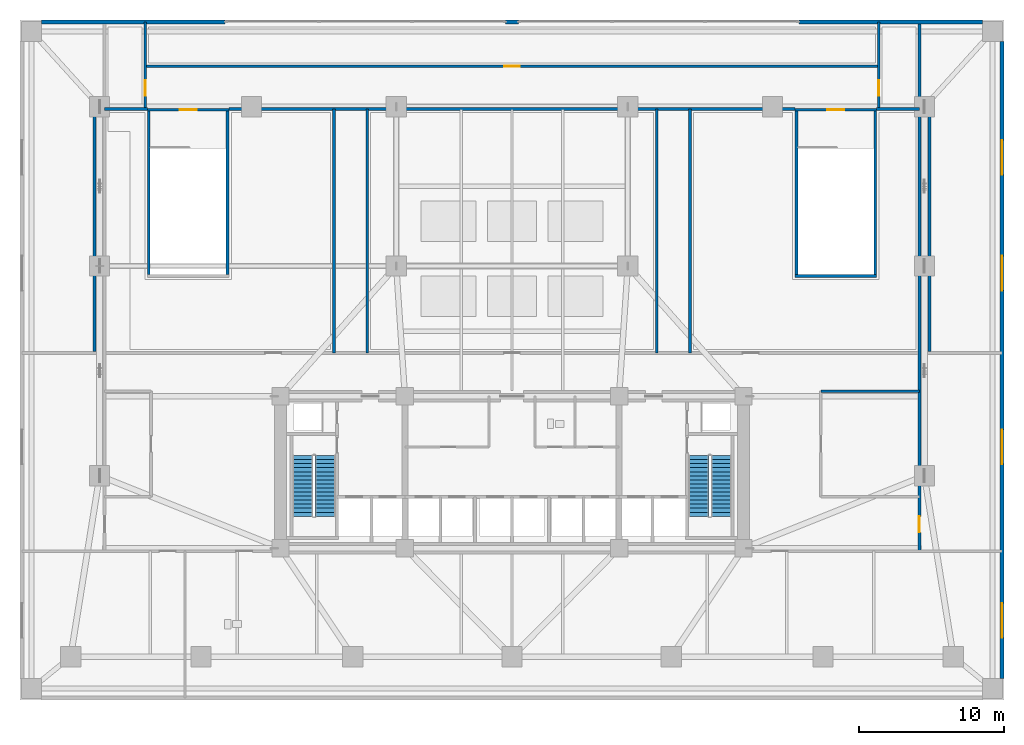
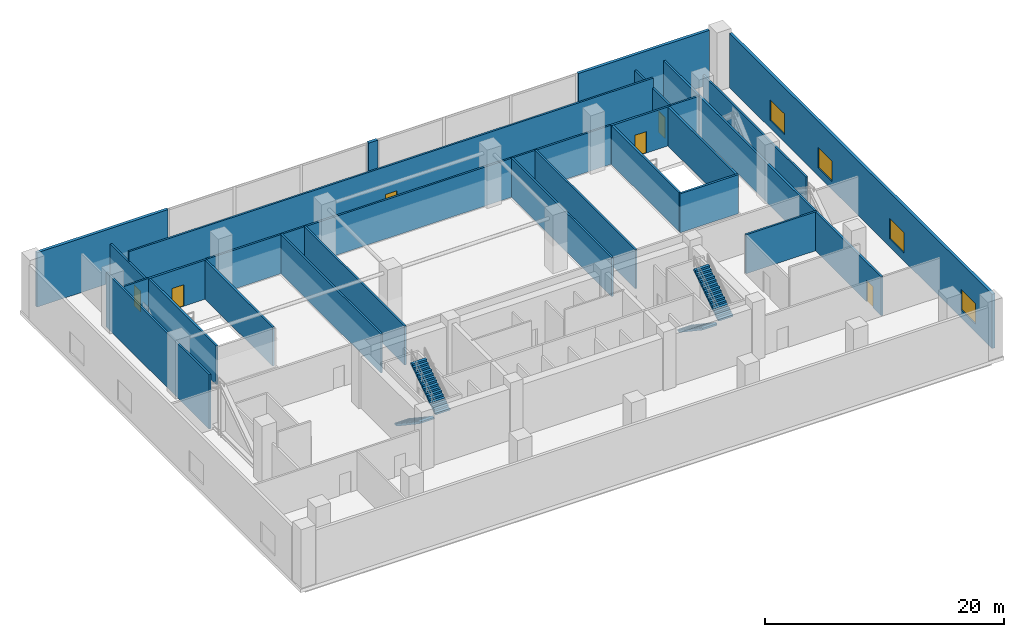
# One storey, part 13 of 16: 25 walls, 6 doors, 4 stair flights, 4 windows, 10 openings, 2 elements without a shape of their own.
"""IFC4 building model written with IfcOpenShell, lengths in metres."""

from ifc_helpers import new_model, si_unit, direction, frame, frame_2d, origin, place, context, subcontext, project, spatial, polyline, rectangle, outline, extrude, material, layer, layer_set, type_object, element, fill, aggregate, save


model = new_model("IFC4")

# Units and contexts
model_context = context("Model", 3, precision=1e-05, world=origin(), true_north=direction((0.0, 1.0)))
body_context = subcontext(model_context, "Body", "Model", "MODEL_VIEW")
ifc_project = project(units=[si_unit("LENGTHUNIT", "METRE"), si_unit("AREAUNIT", "SQUARE_METRE"), si_unit("VOLUMEUNIT", "CUBIC_METRE"), si_unit("PLANEANGLEUNIT", "RADIAN"), si_unit("MASSUNIT", "GRAM", prefix="KILO")], contexts=[model_context])

# Site, building, storey
site_placement = place(None, origin())
site = spatial("IfcSite", under=ifc_project, at=site_placement, CompositionType="ELEMENT")
building_placement = place(site_placement, origin())
building = spatial("IfcBuilding", under=site, at=building_placement, Name="Solmavex Isthmus Hotel", CompositionType="ELEMENT")
storey_placement = place(building_placement, frame((0.0, 0.0, 20.39990234375)))
storey = spatial("IfcBuildingStorey", under=building, at=storey_placement, Name="L05", CompositionType="ELEMENT", Elevation=20.39990234375)

# Walls
ifc_material_1 = material(Name="Precast Concrete C40/50", Category="concrete")
ifc_layer_1 = layer(ifc_material_1, 0.280029296875)
ifc_layer_set_1 = layer_set([ifc_layer_1], Name="Precast Concrete C40/50")
wall_type_1 = type_object("IfcWallType", Name="EW-POD-280", PredefinedType="STANDARD", material=ifc_layer_set_1)
for number, where, z_axis, x_axis, name in (
    (1, (-32.5, 23.360107421875, 0.0), (0.0, 0.0, 1.0), (1.0, 0.0, 0.0), "Podium Facade Wall NW L05"),
    (2, (19.840087890625, 23.360107421875, 0.0), (0.0, 0.0, 1.0), (1.0, 0.0, 0.0), "Podium Facade Wall NE L05"),
):
    element("IfcWall", number, at=place(storey_placement, frame(where, z_axis=z_axis, x_axis=x_axis)), inside=storey, type_object=wall_type_1, Name=name, PredefinedType="STANDARD", context=body_context, shape_type="SweptSolid", body=[
        extrude(rectangle(XDim=12.659912109375, YDim=0.280029296875, at=frame_2d((6.330078125, 0.0))), origin(), (0.0, 0.0, 1.0), 5.550048828125),
    ])
wall_1_placement = place(storey_placement, frame((-0.449951171875, 23.360107421875, 0.0), z_axis=(0.0, 0.0, 1.0), x_axis=(1.0, 0.0, 0.0)))
element("IfcWall", 3, at=wall_1_placement, inside=storey, type_object=wall_type_1, Name="Podium Atrium Center Pier L05", PredefinedType="STANDARD", context=body_context, shape_type="SweptSolid", body=[
    extrude(rectangle(XDim=0.89990234375, YDim=0.280029296875, at=frame_2d((0.449951171875, 0.0))), origin(), (0.0, 0.0, 1.0), 5.550048828125),
])

# Wall, openings, windows
wall_2_placement = place(storey_placement, frame((33.860107421875, -22.0, 0.0), z_axis=(0.0, 0.0, 1.0), x_axis=(0.0, 1.0, 0.0)))
wall_2 = element("IfcWall", 4, at=wall_2_placement, inside=storey, type_object=wall_type_1, Name="Podium Facade Wall East L05", PredefinedType="STANDARD", context=body_context, shape_type="SweptSolid", body=[
    extrude(rectangle(XDim=44.0, YDim=0.280029296875, at=frame_2d((22.0, 0.0))), origin(), (0.0, 0.0, 1.0), 5.550048828125),
])
opening_1_placement = place(wall_2_placement, frame((2.800048828125, 0.0, 0.800048828125)))
opening_1 = element("IfcOpeningElement", 5, at=opening_1_placement, cuts=wall_2, Name="Opening WN-01", PredefinedType="OPENING", context=body_context, shape_type="SweptSolid", body=[
    extrude(rectangle(XDim=2.39990234375, YDim=2.10009765625, at=frame_2d((1.199951171875, 1.050048828125))), frame((0.0, 0.14990234375, 0.0), z_axis=(0.0, -1.0, 0.0), x_axis=(1.0, 0.0, 0.0)), (0.0, 0.0, 1.0), 0.300048828125),
])
opening_2_placement = place(wall_2_placement, frame((14.800048828125, 0.0, 0.800048828125)))
opening_2 = element("IfcOpeningElement", 6, at=opening_2_placement, cuts=wall_2, Name="Opening WN-01", PredefinedType="OPENING", context=body_context, shape_type="SweptSolid", body=[
    extrude(rectangle(XDim=2.39990234375, YDim=2.10009765625, at=frame_2d((1.199951171875, 1.050048828125))), frame((0.0, 0.14990234375, 0.0), z_axis=(0.0, -1.0, 0.0), x_axis=(1.0, 0.0, 0.0)), (0.0, 0.0, 1.0), 0.300048828125),
])
opening_3_placement = place(wall_2_placement, frame((26.800048828125, 0.0, 0.800048828125)))
opening_3 = element("IfcOpeningElement", 7, at=opening_3_placement, cuts=wall_2, Name="Opening WN-01", PredefinedType="OPENING", context=body_context, shape_type="SweptSolid", body=[
    extrude(rectangle(XDim=2.39990234375, YDim=2.10009765625, at=frame_2d((1.199951171875, 1.050048828125))), frame((0.0, 0.14990234375, 0.0), z_axis=(0.0, -1.0, 0.0), x_axis=(1.0, 0.0, 0.0)), (0.0, 0.0, 1.0), 0.300048828125),
])
opening_4_placement = place(wall_2_placement, frame((34.800048828125, 0.0, 0.800048828125)))
opening_4 = element("IfcOpeningElement", 8, at=opening_4_placement, cuts=wall_2, Name="Opening WN-01", PredefinedType="OPENING", context=body_context, shape_type="SweptSolid", body=[
    extrude(rectangle(XDim=2.39990234375, YDim=2.10009765625, at=frame_2d((1.199951171875, 1.050048828125))), frame((0.0, 0.14990234375, 0.0), z_axis=(0.0, -1.0, 0.0), x_axis=(1.0, 0.0, 0.0)), (0.0, 0.0, 1.0), 0.300048828125),
])
ifc_material_2 = material(Name="Clear low-E laminated glass", Category="glass")
window_type = type_object("IfcWindowType", Name="WIN-POD-2400", PartitioningType="SINGLE_PANEL", PredefinedType="WINDOW", material=ifc_material_2)
window_1_placement = place(opening_1_placement, origin())
window_1 = element("IfcWindow", 9, at=window_1_placement, inside=storey, type_object=window_type, Name="Podium Ballroom Window L05-E1", OverallHeight=2.10009765625, OverallWidth=2.39990234375, PartitioningType="SINGLE_PANEL", PredefinedType="WINDOW", context=body_context, shape_type="SweptSolid", body=[
    extrude(rectangle(XDim=2.39990234375, YDim=2.10009765625, at=frame_2d((1.199951171875, 1.050048828125))), frame((0.0, 0.030029296875, 0.0), z_axis=(0.0, -1.0, 0.0), x_axis=(1.0, 0.0, 0.0)), (0.0, 0.0, 1.0), 0.06005859375),
])
fill(opening_1, window_1)
window_2_placement = place(opening_2_placement, origin())
window_2 = element("IfcWindow", 10, at=window_2_placement, inside=storey, type_object=window_type, Name="Podium Ballroom Window L05-E2", OverallHeight=2.10009765625, OverallWidth=2.39990234375, PartitioningType="SINGLE_PANEL", PredefinedType="WINDOW", context=body_context, shape_type="SweptSolid", body=[
    extrude(rectangle(XDim=2.39990234375, YDim=2.10009765625, at=frame_2d((1.199951171875, 1.050048828125))), frame((0.0, 0.030029296875, 0.0), z_axis=(0.0, -1.0, 0.0), x_axis=(1.0, 0.0, 0.0)), (0.0, 0.0, 1.0), 0.06005859375),
])
fill(opening_2, window_2)
window_3_placement = place(opening_3_placement, origin())
window_3 = element("IfcWindow", 11, at=window_3_placement, inside=storey, type_object=window_type, Name="Podium Ballroom Window L05-E3", OverallHeight=2.10009765625, OverallWidth=2.39990234375, PartitioningType="SINGLE_PANEL", PredefinedType="WINDOW", context=body_context, shape_type="SweptSolid", body=[
    extrude(rectangle(XDim=2.39990234375, YDim=2.10009765625, at=frame_2d((1.199951171875, 1.050048828125))), frame((0.0, 0.030029296875, 0.0), z_axis=(0.0, -1.0, 0.0), x_axis=(1.0, 0.0, 0.0)), (0.0, 0.0, 1.0), 0.06005859375),
])
fill(opening_3, window_3)
window_4_placement = place(opening_4_placement, origin())
window_4 = element("IfcWindow", 12, at=window_4_placement, inside=storey, type_object=window_type, Name="Podium Ballroom Window L05-E4", OverallHeight=2.10009765625, OverallWidth=2.39990234375, PartitioningType="SINGLE_PANEL", PredefinedType="WINDOW", context=body_context, shape_type="SweptSolid", body=[
    extrude(rectangle(XDim=2.39990234375, YDim=2.10009765625, at=frame_2d((1.199951171875, 1.050048828125))), frame((0.0, 0.030029296875, 0.0), z_axis=(0.0, -1.0, 0.0), x_axis=(1.0, 0.0, 0.0)), (0.0, 0.0, 1.0), 0.06005859375),
])
fill(opening_4, window_4)

# Walls
ifc_material_3 = material(Name="Concrete C40/50", Category="concrete")
ifc_layer_2 = layer(ifc_material_3, 0.179931640625)
ifc_layer_set_2 = layer_set([ifc_layer_2], Name="Concrete C40/50")
wall_type_2 = type_object("IfcWallType", Name="IW-SHAFT-180", PredefinedType="PARTITIONING", material=ifc_layer_set_2)
wall_3_placement = place(storey_placement, frame((-28.14990234375, 17.35009765625, 0.0), z_axis=(0.0, 0.0, 1.0), x_axis=(1.0, 0.0, 0.0)))
element("IfcWall", 13, at=wall_3_placement, inside=storey, type_object=wall_type_2, Name="Interior Partition Wall W-L05-NF1", PredefinedType="PARTITIONING", context=body_context, shape_type="SweptSolid", body=[
    extrude(rectangle(XDim=2.949951171875, YDim=0.179931640625, at=frame_2d((1.47509765625, 0.0))), origin(), (0.0, 0.0, 1.0), 3.985107421875),
])
wall_4_placement = place(storey_placement, frame((-19.550048828125, 17.35009765625, 0.0), z_axis=(0.0, 0.0, 1.0), x_axis=(1.0, 0.0, 0.0)))
element("IfcWall", 14, at=wall_4_placement, inside=storey, type_object=wall_type_2, Name="Interior Partition Wall W-L05-NF2", PredefinedType="PARTITIONING", context=body_context, shape_type="SweptSolid", body=[
    extrude(rectangle(XDim=39.10009765625, YDim=0.179931640625, at=frame_2d((19.550048828125, 0.0))), origin(), (0.0, 0.0, 1.0), 3.985107421875),
])
wall_5_placement = place(storey_placement, frame((25.199951171875, 17.35009765625, 0.0), z_axis=(0.0, 0.0, 1.0), x_axis=(1.0, 0.0, 0.0)))
element("IfcWall", 15, at=wall_5_placement, inside=storey, type_object=wall_type_2, Name="Interior Partition Wall W-L05-NF3", PredefinedType="PARTITIONING", context=body_context, shape_type="SweptSolid", body=[
    extrude(rectangle(XDim=2.949951171875, YDim=0.179931640625, at=frame_2d((1.47509765625, 0.0))), origin(), (0.0, 0.0, 1.0), 3.985107421875),
])

# Wall, opening, door
wall_6_placement = place(storey_placement, frame((-25.35009765625, 20.300048828125, 0.0), z_axis=(0.0, 0.0, 1.0), x_axis=(1.0, 0.0, 0.0)))
wall_6 = element("IfcWall", 16, at=wall_6_placement, inside=storey, type_object=wall_type_2, Name="Interior Partition Wall W-L05-NFN", PredefinedType="PARTITIONING", context=body_context, shape_type="SweptSolid", body=[
    extrude(rectangle(XDim=50.7001953125, YDim=0.179931640625, at=frame_2d((25.35009765625, 0.0))), origin(), (0.0, 0.0, 1.0), 4.99072265625),
])
opening_5_placement = place(wall_6_placement, frame((24.800048828125, 0.0, 0.0)))
opening_5 = element("IfcOpeningElement", 17, at=opening_5_placement, cuts=wall_6, Name="Opening ID-C110", PredefinedType="OPENING", context=body_context, shape_type="SweptSolid", body=[
    extrude(rectangle(XDim=1.10009765625, YDim=2.14990234375, at=frame_2d((0.550048828125, 1.074951171875))), frame((0.0, 0.099853515625, 0.0), z_axis=(0.0, -1.0, 0.0), x_axis=(1.0, 0.0, 0.0)), (0.0, 0.0, 1.0), 0.199951171875),
])
ifc_material_4 = material(Name="Hardwood timber", Category="wood")
door_type_1 = type_object("IfcDoorType", Name="IDR-FD60-1100", OperationType="NOTDEFINED", PredefinedType="DOOR", material=ifc_material_4)
door_1_placement = place(opening_5_placement, origin())
door_1 = element("IfcDoor", 18, at=door_1_placement, inside=storey, type_object=door_type_1, Name="Podium L05 Door D-L05-NDK", OperationType="SINGLE_SWING_LEFT", OverallHeight=2.14990234375, OverallWidth=1.10009765625, PredefinedType="DOOR", context=body_context, shape_type="SweptSolid", body=[
    extrude(rectangle(XDim=1.10009765625, YDim=2.14990234375, at=frame_2d((0.550048828125, 1.074951171875))), frame((0.0, 0.02490234375, 0.0), z_axis=(0.0, -1.0, 0.0), x_axis=(1.0, 0.0, 0.0)), (0.0, 0.0, 1.0), 0.050048828125),
])
fill(opening_5, door_1)

wall_7_placement = place(storey_placement, frame((-25.35009765625, 17.35009765625, 0.0), z_axis=(0.0, 0.0, 1.0), x_axis=(0.0, 1.0, 0.0)))
wall_7 = element("IfcWall", 19, at=wall_7_placement, inside=storey, type_object=wall_type_2, Name="Interior Partition Wall W-L05-NFW", PredefinedType="PARTITIONING", context=body_context, shape_type="SweptSolid", body=[
    extrude(rectangle(XDim=6.010009765625, YDim=0.179931640625, at=frame_2d((3.0048828125, 0.0))), origin(), (0.0, 0.0, 1.0), 3.985107421875),
])
opening_6_placement = place(wall_7_placement, frame((0.89990234375, 0.0, 0.0)))
opening_6 = element("IfcOpeningElement", 20, at=opening_6_placement, cuts=wall_7, Name="Opening ID-C110", PredefinedType="OPENING", context=body_context, shape_type="SweptSolid", body=[
    extrude(rectangle(XDim=1.10009765625, YDim=2.14990234375, at=frame_2d((0.550048828125, 1.074951171875))), frame((0.0, 0.099853515625, 0.0), z_axis=(0.0, -1.0, 0.0), x_axis=(1.0, 0.0, 0.0)), (0.0, 0.0, 1.0), 0.199951171875),
])
door_2_placement = place(opening_6_placement, origin())
door_2 = element("IfcDoor", 21, at=door_2_placement, inside=storey, type_object=door_type_1, Name="Podium L05 Door D-L05-TR1", OperationType="SINGLE_SWING_LEFT", OverallHeight=2.14990234375, OverallWidth=1.10009765625, PredefinedType="DOOR", context=body_context, shape_type="SweptSolid", body=[
    extrude(rectangle(XDim=1.10009765625, YDim=2.14990234375, at=frame_2d((0.550048828125, 1.074951171875))), frame((0.0, 0.02490234375, 0.0), z_axis=(0.0, -1.0, 0.0), x_axis=(1.0, 0.0, 0.0)), (0.0, 0.0, 1.0), 0.050048828125),
])
fill(opening_6, door_2)

wall_8_placement = place(storey_placement, frame((25.35009765625, 17.35009765625, 0.0), z_axis=(0.0, 0.0, 1.0), x_axis=(0.0, 1.0, 0.0)))
wall_8 = element("IfcWall", 22, at=wall_8_placement, inside=storey, type_object=wall_type_2, Name="Interior Partition Wall W-L05-NFE", PredefinedType="PARTITIONING", context=body_context, shape_type="SweptSolid", body=[
    extrude(rectangle(XDim=6.010009765625, YDim=0.179931640625, at=frame_2d((3.0048828125, 0.0))), origin(), (0.0, 0.0, 1.0), 3.985107421875),
])
opening_7_placement = place(wall_8_placement, frame((0.89990234375, 0.0, 0.0)))
opening_7 = element("IfcOpeningElement", 23, at=opening_7_placement, cuts=wall_8, Name="Opening ID-C110", PredefinedType="OPENING", context=body_context, shape_type="SweptSolid", body=[
    extrude(rectangle(XDim=1.10009765625, YDim=2.14990234375, at=frame_2d((0.550048828125, 1.074951171875))), frame((0.0, 0.099853515625, 0.0), z_axis=(0.0, -1.0, 0.0), x_axis=(1.0, 0.0, 0.0)), (0.0, 0.0, 1.0), 0.199951171875),
])
door_3_placement = place(opening_7_placement, origin())
door_3 = element("IfcDoor", 24, at=door_3_placement, inside=storey, type_object=door_type_1, Name="Podium L05 Door D-L05-TR2", OperationType="SINGLE_SWING_LEFT", OverallHeight=2.14990234375, OverallWidth=1.10009765625, PredefinedType="DOOR", context=body_context, shape_type="SweptSolid", body=[
    extrude(rectangle(XDim=1.10009765625, YDim=2.14990234375, at=frame_2d((0.550048828125, 1.074951171875))), frame((0.0, 0.02490234375, 0.0), z_axis=(0.0, -1.0, 0.0), x_axis=(1.0, 0.0, 0.0)), (0.0, 0.0, 1.0), 0.050048828125),
])
fill(opening_7, door_3)

# Walls
for number, where, z_axis, x_axis, name in (
    (25, (-12.300048828125, 0.5, 0.0), (0.0, 0.0, 1.0), (0.0, 1.0, 0.0), "Interior Partition Wall W-L05-M1A"),
    (26, (-10.0, 0.5, 0.0), (0.0, 0.0, 1.0), (0.0, 1.0, 0.0), "Interior Partition Wall W-L05-M1B"),
    (27, (10.0, 0.5, 0.0), (0.0, 0.0, 1.0), (0.0, 1.0, 0.0), "Interior Partition Wall W-L05-M2A"),
    (28, (12.300048828125, 0.5, 0.0), (0.0, 0.0, 1.0), (0.0, 1.0, 0.0), "Interior Partition Wall W-L05-M2B"),
):
    element("IfcWall", number, at=place(storey_placement, frame(where, z_axis=z_axis, x_axis=x_axis)), inside=storey, type_object=wall_type_2, Name=name, PredefinedType="PARTITIONING", context=body_context, shape_type="SweptSolid", body=[
        extrude(rectangle(XDim=16.85009765625, YDim=0.179931640625, at=frame_2d((8.425048828125, 0.0))), origin(), (0.0, 0.0, 1.0), 3.985107421875),
    ])
wall_9_placement = place(storey_placement, frame((21.35009765625, -2.14990234375, 0.0), z_axis=(0.0, 0.0, 1.0), x_axis=(1.0, 0.0, 0.0)))
element("IfcWall", 29, at=wall_9_placement, inside=storey, type_object=wall_type_2, Name="Interior Partition Wall W-L05-CSE", PredefinedType="PARTITIONING", context=body_context, shape_type="SweptSolid", body=[
    extrude(rectangle(XDim=6.7998046875, YDim=0.179931640625, at=frame_2d((3.39990234375, 0.0))), origin(), (0.0, 0.0, 1.0), 3.985107421875),
])
for number, where, z_axis, x_axis, name in (
    (30, (-28.85009765625, 0.60009765625, 0.0), (0.0, 0.0, 1.0), (0.0, 1.0, 0.0), "Interior Partition Wall W-L05-TRWC"),
    (31, (28.85009765625, 0.60009765625, 0.0), (0.0, 0.0, 1.0), (0.0, 1.0, 0.0), "Interior Partition Wall W-L05-TREC"),
):
    element("IfcWall", number, at=place(storey_placement, frame(where, z_axis=z_axis, x_axis=x_axis)), inside=storey, type_object=wall_type_2, Name=name, PredefinedType="PARTITIONING", context=body_context, shape_type="SweptSolid", body=[
        extrude(rectangle(XDim=17.25, YDim=0.179931640625, at=frame_2d((8.625, 0.0))), origin(), (0.0, 0.0, 1.0), 5.550048828125),
    ])

# Wall, opening, door
ifc_layer_3 = layer(ifc_material_3, 0.199951171875)
ifc_layer_set_3 = layer_set([ifc_layer_3], Name="Concrete C40/50")
wall_type_3 = type_object("IfcWallType", Name="IW-SHAFT-200", PredefinedType="PARTITIONING", material=ifc_layer_set_3)
wall_10_placement = place(storey_placement, frame((28.14990234375, -13.199951171875, 0.0), z_axis=(0.0, 0.0, 1.0), x_axis=(0.0, 1.0, 0.0)))
wall_10 = element("IfcWall", 32, at=wall_10_placement, inside=storey, type_object=wall_type_3, Name="Interior Partition Wall W-L05-TRE", PredefinedType="PARTITIONING", context=body_context, shape_type="SweptSolid", body=[
    extrude(rectangle(XDim=36.56005859375, YDim=0.199951171875, at=frame_2d((18.280029296875, 0.0))), origin(), (0.0, 0.0, 1.0), 3.985107421875),
])
opening_8_placement = place(wall_10_placement, frame((1.300048828125, 0.0, 0.0)))
opening_8 = element("IfcOpeningElement", 33, at=opening_8_placement, cuts=wall_10, Name="Opening ID-C110", PredefinedType="OPENING", context=body_context, shape_type="SweptSolid", body=[
    extrude(rectangle(XDim=1.10009765625, YDim=2.14990234375, at=frame_2d((0.550048828125, 1.074951171875))), frame((0.0, 0.10986328125, 0.0), z_axis=(0.0, -1.0, 0.0), x_axis=(1.0, 0.0, 0.0)), (0.0, 0.0, 1.0), 0.219970703125),
])
door_4_placement = place(opening_8_placement, origin())
door_4 = element("IfcDoor", 34, at=door_4_placement, inside=storey, type_object=door_type_1, Name="Podium L05 Door D-L05-TGE", OperationType="SINGLE_SWING_LEFT", OverallHeight=2.14990234375, OverallWidth=1.10009765625, PredefinedType="DOOR", context=body_context, shape_type="SweptSolid", body=[
    extrude(rectangle(XDim=1.10009765625, YDim=2.14990234375, at=frame_2d((0.550048828125, 1.074951171875))), frame((0.0, 0.02490234375, 0.0), z_axis=(0.0, -1.0, 0.0), x_axis=(1.0, 0.0, 0.0)), (0.0, 0.0, 1.0), 0.050048828125),
])
fill(opening_8, door_4)

# Wall
ifc_layer_4 = layer(ifc_material_3, 0.199951171875)
ifc_layer_set_4 = layer_set([ifc_layer_4], Name="Concrete C40/50")
wall_type_4 = type_object("IfcWallType", Name="WALL-SW-200", PredefinedType="SOLIDWALL", material=ifc_layer_set_4)
wall_11_placement = place(storey_placement, frame((19.550048828125, 5.800048828125, 0.0), z_axis=(0.0, 0.0, 1.0), x_axis=(1.0, 0.0, 0.0)))
element("IfcWall", 35, at=wall_11_placement, inside=storey, type_object=wall_type_4, Name="Stairwell Structural Wall SW-L05-ST3-S", PredefinedType="SOLIDWALL", context=body_context, shape_type="SweptSolid", body=[
    extrude(rectangle(XDim=5.64990234375, YDim=0.199951171875, at=frame_2d((2.824951171875, 0.0))), origin(), (0.0, 0.0, 1.0), 3.97998046875),
])

# Wall, opening, door
wall_12_placement = place(storey_placement, frame((19.550048828125, 17.300048828125, 0.0), z_axis=(0.0, 0.0, 1.0), x_axis=(1.0, 0.0, 0.0)))
wall_12 = element("IfcWall", 36, at=wall_12_placement, inside=storey, type_object=wall_type_4, Name="Stairwell Structural Wall SW-L05-ST3-N", PredefinedType="SOLIDWALL", context=body_context, shape_type="SweptSolid", body=[
    extrude(rectangle(XDim=5.64990234375, YDim=0.199951171875, at=frame_2d((2.824951171875, 0.0))), origin(), (0.0, 0.0, 1.0), 3.97998046875),
])
opening_9_placement = place(wall_12_placement, frame((2.25, 0.0, 0.0)))
opening_9 = element("IfcOpeningElement", 37, at=opening_9_placement, cuts=wall_12, Name="Opening ID-F115", PredefinedType="OPENING", context=body_context, shape_type="SweptSolid", body=[
    extrude(rectangle(XDim=1.14990234375, YDim=2.199951171875, at=frame_2d((0.574951171875, 1.10009765625))), frame((0.0, 0.10986328125, 0.0), z_axis=(0.0, -1.0, 0.0), x_axis=(1.0, 0.0, 0.0)), (0.0, 0.0, 1.0), 0.219970703125),
])
ifc_material_5 = material(Name="Steel ASTM A500 Grade C", Category="steel")
door_type_2 = type_object("IfcDoorType", Name="IDR-FD90-1150", OperationType="NOTDEFINED", PredefinedType="DOOR", material=ifc_material_5)
door_5_placement = place(opening_9_placement, origin())
door_5 = element("IfcDoor", 38, at=door_5_placement, inside=storey, type_object=door_type_2, Name="Podium Stair ST3 Fire Door L05", OperationType="SINGLE_SWING_LEFT", OverallHeight=2.199951171875, OverallWidth=1.14990234375, PredefinedType="DOOR", context=body_context, shape_type="SweptSolid", body=[
    extrude(rectangle(XDim=1.14990234375, YDim=2.199951171875, at=frame_2d((0.574951171875, 1.10009765625))), frame((0.0, 0.02490234375, 0.0), z_axis=(0.0, -1.0, 0.0), x_axis=(1.0, 0.0, 0.0)), (0.0, 0.0, 1.0), 0.050048828125),
])
fill(opening_9, door_5)

# Walls
for number, where, z_axis, x_axis, name in (
    (39, (19.64990234375, 5.89990234375, 0.0), (0.0, 0.0, 1.0), (0.0, 1.0, 0.0), "Stairwell Structural Wall SW-L05-ST3-W"),
    (40, (25.10009765625, 5.89990234375, 0.0), (0.0, 0.0, 1.0), (0.0, 1.0, 0.0), "Stairwell Structural Wall SW-L05-ST3-E"),
):
    element("IfcWall", number, at=place(storey_placement, frame(where, z_axis=z_axis, x_axis=x_axis)), inside=storey, type_object=wall_type_4, Name=name, PredefinedType="SOLIDWALL", context=body_context, shape_type="SweptSolid", body=[
        extrude(rectangle(XDim=11.300048828125, YDim=0.199951171875, at=frame_2d((5.64990234375, 0.0))), origin(), (0.0, 0.0, 1.0), 3.97998046875),
    ])

# Wall, opening, door
wall_13_placement = place(storey_placement, frame((-25.199951171875, 17.300048828125, 0.0), z_axis=(0.0, 0.0, 1.0), x_axis=(1.0, 0.0, 0.0)))
wall_13 = element("IfcWall", 41, at=wall_13_placement, inside=storey, type_object=wall_type_4, Name="Stairwell Structural Wall SW-L05-ST4-N", PredefinedType="SOLIDWALL", context=body_context, shape_type="SweptSolid", body=[
    extrude(rectangle(XDim=5.64990234375, YDim=0.199951171875, at=frame_2d((2.824951171875, 0.0))), origin(), (0.0, 0.0, 1.0), 3.97998046875),
])
opening_10_placement = place(wall_13_placement, frame((2.25, 0.0, 0.0)))
opening_10 = element("IfcOpeningElement", 42, at=opening_10_placement, cuts=wall_13, Name="Opening ID-F115", PredefinedType="OPENING", context=body_context, shape_type="SweptSolid", body=[
    extrude(rectangle(XDim=1.14990234375, YDim=2.199951171875, at=frame_2d((0.574951171875, 1.10009765625))), frame((0.0, 0.10986328125, 0.0), z_axis=(0.0, -1.0, 0.0), x_axis=(1.0, 0.0, 0.0)), (0.0, 0.0, 1.0), 0.219970703125),
])
door_6_placement = place(opening_10_placement, origin())
door_6 = element("IfcDoor", 43, at=door_6_placement, inside=storey, type_object=door_type_2, Name="Podium Stair ST4 Fire Door L05", OperationType="SINGLE_SWING_RIGHT", OverallHeight=2.199951171875, OverallWidth=1.14990234375, PredefinedType="DOOR", context=body_context, shape_type="SweptSolid", body=[
    extrude(rectangle(XDim=1.14990234375, YDim=2.199951171875, at=frame_2d((0.574951171875, 1.10009765625))), frame((0.0, 0.02490234375, 0.0), z_axis=(0.0, -1.0, 0.0), x_axis=(1.0, 0.0, 0.0)), (0.0, 0.0, 1.0), 0.050048828125),
])
fill(opening_10, door_6)

# Walls
for number, where, z_axis, x_axis, name in (
    (44, (-25.10009765625, 5.89990234375, 0.0), (0.0, 0.0, 1.0), (0.0, 1.0, 0.0), "Stairwell Structural Wall SW-L05-ST4-W"),
    (45, (-19.64990234375, 5.89990234375, 0.0), (0.0, 0.0, 1.0), (0.0, 1.0, 0.0), "Stairwell Structural Wall SW-L05-ST4-E"),
):
    element("IfcWall", number, at=place(storey_placement, frame(where, z_axis=z_axis, x_axis=x_axis)), inside=storey, type_object=wall_type_4, Name=name, PredefinedType="SOLIDWALL", context=body_context, shape_type="SweptSolid", body=[
        extrude(rectangle(XDim=11.300048828125, YDim=0.199951171875, at=frame_2d((5.64990234375, 0.0))), origin(), (0.0, 0.0, 1.0), 3.97998046875),
    ])

# Stair, stair flights
stair_type_1 = type_object("IfcStairType", Name="STR-ST-1", PredefinedType="HALF_TURN_STAIR", material=ifc_material_3)
stair_1_placement = place(storey_placement, origin())
stair_1 = element("IfcStair", 46, at=stair_1_placement, inside=storey, type_object=stair_type_1, Name="L05 Protected Exit Stair ST-1", PredefinedType="HALF_TURN_STAIR")
stair_flight_type_1 = type_object("IfcStairFlightType", Name="SFL-ST-1", PredefinedType="STRAIGHT", material=ifc_material_3)
stair_flight_1_placement = place(storey_placement, frame((-14.449951171875, -6.60009765625, 0.0), z_axis=(0.0, 0.0, 1.0), x_axis=(0.0, -1.0, 0.0)))
stair_flight_1 = element("IfcStairFlight", 47, at=stair_flight_1_placement, type_object=stair_flight_type_1, Name="ST-1 flight 1", NumberOfRisers=16, NumberOfTreads=15, PredefinedType="STRAIGHT", RiserHeight=0.1875, TreadLength=0.28, context=body_context, shape_type="SweptSolid", body=[
    extrude(outline(polyline([(0.0, 0.0), (0.0, 0.1875), (0.280029296875, 0.1875), (0.280029296875, 0.375), (0.56005859375, 0.375), (0.56005859375, 0.5625), (0.840087890625, 0.5625), (0.840087890625, 0.75), (1.1201171875, 0.75), (1.1201171875, 0.9375), (1.39990234375, 0.9375), (1.39990234375, 1.125), (1.679931640625, 1.125), (1.679931640625, 1.3125), (1.9599609375, 1.3125), (1.9599609375, 1.5), (2.239990234375, 1.5), (2.239990234375, 1.6875), (2.52001953125, 1.6875), (2.52001953125, 1.875), (2.800048828125, 1.875), (2.800048828125, 2.0625), (3.080078125, 2.0625), (3.080078125, 2.25), (3.360107421875, 2.25), (3.360107421875, 2.4375), (3.639892578125, 2.4375), (3.639892578125, 2.625), (3.919921875, 2.625), (3.919921875, 2.8125), (4.199951171875, 2.8125), (4.199951171875, 3.0), (4.199951171875, 2.632080078125), (0.26953125, 0.0), (0.0, 0.0)])), frame((0.0, 0.699951171875, 0.0), z_axis=(0.0, -1.0, 0.0), x_axis=(1.0, 0.0, 0.0)), (0.0, 0.0, 1.0), 1.39990234375),
])
stair_flight_2_placement = place(storey_placement, frame((-12.89990234375, -10.800048828125, 3.0), z_axis=(0.0, 0.0, 1.0), x_axis=(0.0, 1.0, 0.0)))
stair_flight_2 = element("IfcStairFlight", 48, at=stair_flight_2_placement, type_object=stair_flight_type_1, Name="ST-1 flight 2", NumberOfRisers=16, NumberOfTreads=15, PredefinedType="STRAIGHT", RiserHeight=0.1875, TreadLength=0.28, context=body_context, shape_type="SweptSolid", body=[
    extrude(outline(polyline([(0.0, 0.0), (0.0, 0.1875), (0.280029296875, 0.1875), (0.280029296875, 0.375), (0.56005859375, 0.375), (0.56005859375, 0.5625), (0.840087890625, 0.5625), (0.840087890625, 0.75), (1.1201171875, 0.75), (1.1201171875, 0.9375), (1.39990234375, 0.9375), (1.39990234375, 1.125), (1.679931640625, 1.125), (1.679931640625, 1.3125), (1.9599609375, 1.3125), (1.9599609375, 1.5), (2.239990234375, 1.5), (2.239990234375, 1.6875), (2.52001953125, 1.6875), (2.52001953125, 1.875), (2.800048828125, 1.875), (2.800048828125, 2.0625), (3.080078125, 2.0625), (3.080078125, 2.25), (3.360107421875, 2.25), (3.360107421875, 2.4375), (3.639892578125, 2.4375), (3.639892578125, 2.625), (3.919921875, 2.625), (3.919921875, 2.8125), (4.199951171875, 2.8125), (4.199951171875, 3.0), (4.199951171875, 2.632080078125), (0.26953125, 0.0), (0.0, 0.0)])), frame((0.0, 0.699951171875, 0.0), z_axis=(0.0, -1.0, 0.0), x_axis=(1.0, 0.0, 0.0)), (0.0, 0.0, 1.0), 1.39990234375),
])
aggregate(stair_1, [stair_flight_1, stair_flight_2])

stair_type_2 = type_object("IfcStairType", Name="STR-ST-2", PredefinedType="HALF_TURN_STAIR", material=ifc_material_3)
stair_2_placement = place(storey_placement, origin())
stair_2 = element("IfcStair", 49, at=stair_2_placement, inside=storey, type_object=stair_type_2, Name="L05 Protected Exit Stair ST-2", PredefinedType="HALF_TURN_STAIR")
stair_flight_type_2 = type_object("IfcStairFlightType", Name="SFL-ST-2", PredefinedType="STRAIGHT", material=ifc_material_3)
stair_flight_3_placement = place(storey_placement, frame((12.89990234375, -6.60009765625, 0.0), z_axis=(0.0, 0.0, 1.0), x_axis=(0.0, -1.0, 0.0)))
stair_flight_3 = element("IfcStairFlight", 50, at=stair_flight_3_placement, type_object=stair_flight_type_2, Name="ST-2 flight 1", NumberOfRisers=16, NumberOfTreads=15, PredefinedType="STRAIGHT", RiserHeight=0.1875, TreadLength=0.28, context=body_context, shape_type="SweptSolid", body=[
    extrude(outline(polyline([(0.0, 0.0), (0.0, 0.1875), (0.280029296875, 0.1875), (0.280029296875, 0.375), (0.56005859375, 0.375), (0.56005859375, 0.5625), (0.840087890625, 0.5625), (0.840087890625, 0.75), (1.1201171875, 0.75), (1.1201171875, 0.9375), (1.39990234375, 0.9375), (1.39990234375, 1.125), (1.679931640625, 1.125), (1.679931640625, 1.3125), (1.9599609375, 1.3125), (1.9599609375, 1.5), (2.239990234375, 1.5), (2.239990234375, 1.6875), (2.52001953125, 1.6875), (2.52001953125, 1.875), (2.800048828125, 1.875), (2.800048828125, 2.0625), (3.080078125, 2.0625), (3.080078125, 2.25), (3.360107421875, 2.25), (3.360107421875, 2.4375), (3.639892578125, 2.4375), (3.639892578125, 2.625), (3.919921875, 2.625), (3.919921875, 2.8125), (4.199951171875, 2.8125), (4.199951171875, 3.0), (4.199951171875, 2.632080078125), (0.26953125, 0.0), (0.0, 0.0)])), frame((0.0, 0.699951171875, 0.0), z_axis=(0.0, -1.0, 0.0), x_axis=(1.0, 0.0, 0.0)), (0.0, 0.0, 1.0), 1.39990234375),
])
stair_flight_4_placement = place(storey_placement, frame((14.449951171875, -10.800048828125, 3.0), z_axis=(0.0, 0.0, 1.0), x_axis=(0.0, 1.0, 0.0)))
stair_flight_4 = element("IfcStairFlight", 51, at=stair_flight_4_placement, type_object=stair_flight_type_2, Name="ST-2 flight 2", NumberOfRisers=16, NumberOfTreads=15, PredefinedType="STRAIGHT", RiserHeight=0.1875, TreadLength=0.28, context=body_context, shape_type="SweptSolid", body=[
    extrude(outline(polyline([(0.0, 0.0), (0.0, 0.1875), (0.280029296875, 0.1875), (0.280029296875, 0.375), (0.56005859375, 0.375), (0.56005859375, 0.5625), (0.840087890625, 0.5625), (0.840087890625, 0.75), (1.1201171875, 0.75), (1.1201171875, 0.9375), (1.39990234375, 0.9375), (1.39990234375, 1.125), (1.679931640625, 1.125), (1.679931640625, 1.3125), (1.9599609375, 1.3125), (1.9599609375, 1.5), (2.239990234375, 1.5), (2.239990234375, 1.6875), (2.52001953125, 1.6875), (2.52001953125, 1.875), (2.800048828125, 1.875), (2.800048828125, 2.0625), (3.080078125, 2.0625), (3.080078125, 2.25), (3.360107421875, 2.25), (3.360107421875, 2.4375), (3.639892578125, 2.4375), (3.639892578125, 2.625), (3.919921875, 2.625), (3.919921875, 2.8125), (4.199951171875, 2.8125), (4.199951171875, 3.0), (4.199951171875, 2.632080078125), (0.26953125, 0.0), (0.0, 0.0)])), frame((0.0, 0.699951171875, 0.0), z_axis=(0.0, -1.0, 0.0), x_axis=(1.0, 0.0, 0.0)), (0.0, 0.0, 1.0), 1.39990234375),
])
aggregate(stair_2, [stair_flight_3, stair_flight_4])

save(model, "model.ifc")
